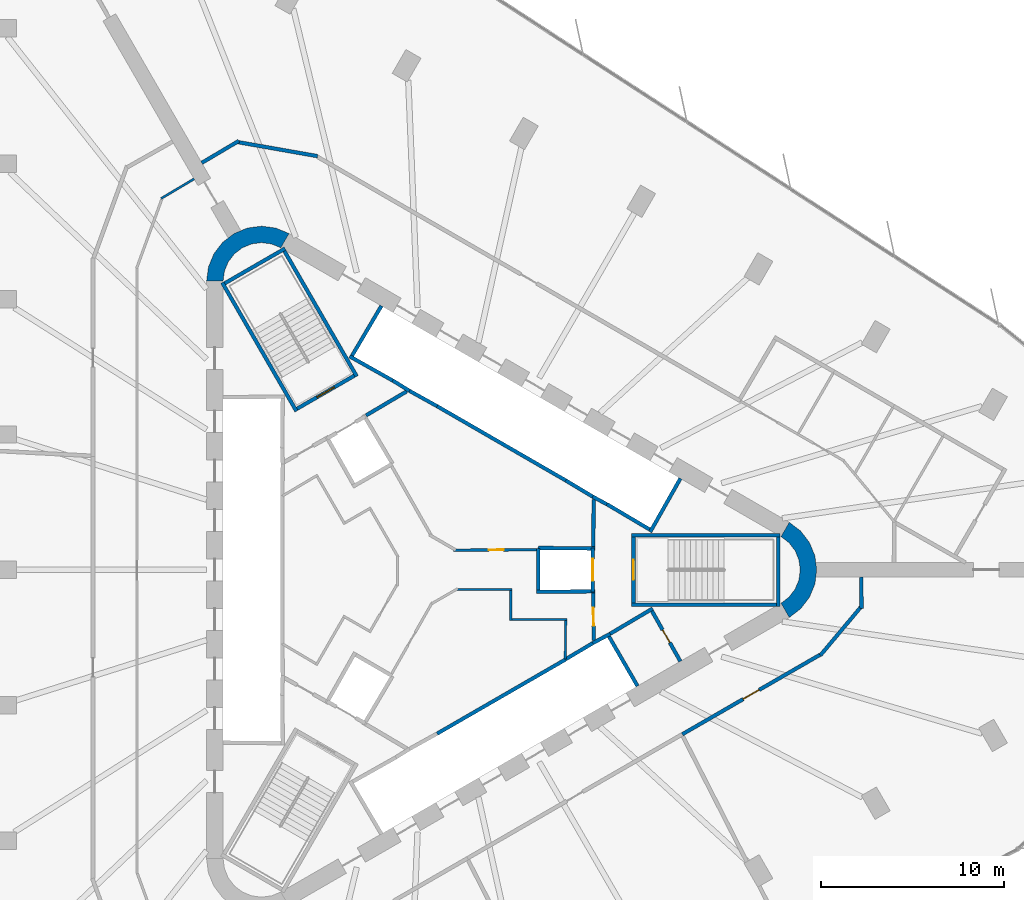
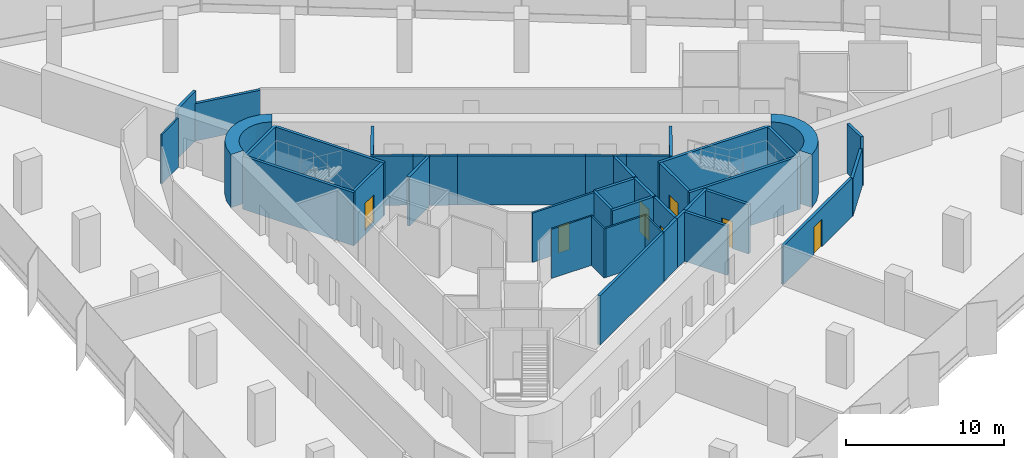
# One storey, part 11 of 14: 43 walls, 7 doors, 7 openings.
"""IFC4 building model written with IfcOpenShell, lengths in metres."""

from ifc_helpers import new_model, si_unit, direction, frame, frame_2d, origin, place, context, subcontext, project, spatial, polyline, rectangle, outline, extrude, material, layer, layer_set, type_object, element, fill, save


model = new_model("IFC4")

# Units and contexts
model_context = context("Model", 3, precision=1e-05, world=origin(), true_north=direction((0.0, 1.0)))
body_context = subcontext(model_context, "Body", "Model", "MODEL_VIEW")
ifc_project = project(units=[si_unit("LENGTHUNIT", "METRE"), si_unit("AREAUNIT", "SQUARE_METRE"), si_unit("VOLUMEUNIT", "CUBIC_METRE"), si_unit("PLANEANGLEUNIT", "RADIAN"), si_unit("MASSUNIT", "GRAM", prefix="KILO")], contexts=[model_context])

# Site, building, storey
site_placement = place(None, origin())
site = spatial("IfcSite", under=ifc_project, at=site_placement, CompositionType="ELEMENT")
building_placement = place(site_placement, origin())
building = spatial("IfcBuilding", under=site, at=building_placement, Name="Tanit Gate Tower", CompositionType="ELEMENT")
storey_placement = place(building_placement, frame((0.0, 0.0, 70.10009765625)))
storey = spatial("IfcBuildingStorey", under=building, at=storey_placement, Name="L13", CompositionType="ELEMENT", Elevation=70.10009765625)

# Walls
ifc_material_1 = material(Name="Concrete C60/75", Category="concrete")
ifc_layer_1 = layer(ifc_material_1, 0.89990234375)
ifc_layer_set_1 = layer_set([ifc_layer_1], Name="CORE WALL 900 C60/75")
wall_type_1 = type_object("IfcWallType", Name="CORE WALL 900 C60/75", PredefinedType="SHEAR", material=ifc_layer_set_1)
wall_1_placement = place(storey_placement, origin())
element("IfcWall", 1, at=wall_1_placement, inside=storey, type_object=wall_type_1, Name="CORE WALL CORNER", PredefinedType="SHEAR", context=body_context, shape_type="SweptSolid", body=[
    extrude(outline(polyline([(-7.60009765625, 18.359619140625), (-8.323486328125, 18.659423828125), (-9.10009765625, 18.76171875), (-9.87646484375, 18.659423828125), (-10.60009765625, 18.359619140625), (-11.22119140625, 17.883056640625), (-11.697998046875, 17.26171875), (-11.997802734375, 16.5380859375), (-12.10009765625, 15.76171875), (-11.199951171875, 15.76171875), (-11.12841796875, 16.30517578125), (-10.918701171875, 16.811767578125), (-10.5849609375, 17.24658203125), (-10.14990234375, 17.580322265625), (-9.6435546875, 17.7900390625), (-9.10009765625, 17.86181640625), (-8.556396484375, 17.7900390625), (-8.050048828125, 17.580322265625), (-7.60009765625, 18.359619140625)])), origin(), (0.0, 0.0, 1.0), 4.099853515625),
])
wall_2_placement = place(storey_placement, origin())
element("IfcWall", 2, at=wall_2_placement, inside=storey, type_object=wall_type_1, Name="CORE WALL CORNER", PredefinedType="SHEAR", context=body_context, shape_type="SweptSolid", body=[
    extrude(outline(polyline([(19.699951171875, -2.59814453125), (20.3212890625, -2.121337890625), (20.798095703125, -1.5), (21.097900390625, -0.776611328125), (21.199951171875, 0.0), (21.097900390625, 0.776611328125), (20.798095703125, 1.5), (20.3212890625, 2.121337890625), (19.699951171875, 2.59814453125), (19.25, 1.818603515625), (19.684814453125, 1.48486328125), (20.018798828125, 1.050048828125), (20.228515625, 0.54345703125), (20.300048828125, 0.0), (20.228515625, -0.54345703125), (20.018798828125, -1.050048828125), (19.684814453125, -1.48486328125), (19.25, -1.818603515625), (19.699951171875, -2.59814453125)])), origin(), (0.0, 0.0, 1.0), 4.099853515625),
])
ifc_material_2 = material(Name="Fire-rated gypsum board partition")
ifc_layer_2 = layer(ifc_material_2, 0.199951171875)
ifc_layer_set_2 = layer_set([ifc_layer_2], Name="INT-WALL-COMPARTMENT")
wall_type_2 = type_object("IfcWallType", Name="INT-WALL-COMPARTMENT", PredefinedType="PARTITIONING", material=ifc_layer_set_2)
wall_3_placement = place(storey_placement, frame((12.244873046875, -2.10888671875, 0.0), z_axis=(0.0, 0.0, 1.0), x_axis=(-0.860414880418, -0.509594185166, 0.0)))
element("IfcWall", 3, at=wall_3_placement, inside=storey, type_object=wall_type_2, Name="Wall Compartment W057", PredefinedType="PARTITIONING", context=body_context, shape_type="SweptSolid", body=[
    extrude(rectangle(XDim=2.7001953125, YDim=0.199951171875, at=frame_2d((1.35009765625, 0.0))), origin(), (0.0, 0.0, 1.0), 3.7998046875),
])

# Wall, opening, door
wall_4_placement = place(storey_placement, frame((13.758056640625, -4.989501953125, 0.0), z_axis=(0.0, 0.0, 1.0), x_axis=(-0.491993409184, 0.87059892334, 0.0)))
wall_4 = element("IfcWall", 4, at=wall_4_placement, inside=storey, type_object=wall_type_2, Name="Wall Compartment W058", PredefinedType="PARTITIONING", context=body_context, shape_type="SweptSolid", body=[
    extrude(rectangle(XDim=3.150146484375, YDim=0.199951171875, at=frame_2d((1.5751953125, 0.0))), origin(), (0.0, 0.0, 1.0), 3.7998046875),
])
opening_1_placement = place(wall_4_placement, frame((1.175048828125, 0.0, 0.0)))
opening_1 = element("IfcOpeningElement", 5, at=opening_1_placement, cuts=wall_4, Name="Opening R08-S02-13", PredefinedType="OPENING", context=body_context, shape_type="SweptSolid", body=[
    extrude(rectangle(XDim=0.800048828125, YDim=2.10009765625, at=frame_2d((0.39990234375, 1.050048828125))), frame((0.0, 0.10986328125, 0.0), z_axis=(0.0, -1.0, 0.0), x_axis=(1.0, 0.0, 0.0)), (0.0, 0.0, 1.0), 0.219970703125),
])
ifc_material_3 = material(Name="Timber door leaf", Category="wood")
door_type_1 = type_object("IfcDoorType", Name="INT-DOOR-RISER-800", OperationType="NOTDEFINED", PredefinedType="USERDEFINED", material=ifc_material_3)
door_1_placement = place(opening_1_placement, origin())
door_1 = element("IfcDoor", 6, at=door_1_placement, inside=storey, type_object=door_type_1, Name="Door R08-S02-13", ObjectType="FIRE DOOR", OperationType="SINGLE_SWING_RIGHT", OverallHeight=2.10009765625, OverallWidth=0.800048828125, PredefinedType="USERDEFINED", context=body_context, shape_type="SweptSolid", body=[
    extrude(rectangle(XDim=0.800048828125, YDim=2.10009765625, at=frame_2d((0.39990234375, 1.050048828125))), frame((0.0, 0.02490234375, 0.0), z_axis=(0.0, -1.0, 0.0), x_axis=(1.0, 0.0, 0.0)), (0.0, 0.0, 1.0), 0.050048828125),
])
fill(opening_1, door_1)

# Wall
wall_5_placement = place(storey_placement, frame((9.0009765625, 1.27001953125, 0.0), z_axis=(0.0, 0.0, 1.0), x_axis=(0.010784614026, 0.999941844359, 0.0)))
element("IfcWall", 7, at=wall_5_placement, inside=storey, type_object=wall_type_2, Name="Wall Compartment W059", PredefinedType="PARTITIONING", context=body_context, shape_type="SweptSolid", body=[
    extrude(rectangle(XDim=2.580810546875, YDim=0.199951171875, at=frame_2d((1.29052734375, 0.0))), origin(), (0.0, 0.0, 1.0), 3.7998046875),
])

# Wall, opening, door
wall_6_placement = place(storey_placement, frame((9.02880859375, -3.850830078125, 0.0), z_axis=(0.0, 0.0, 1.0), x_axis=(-0.010783593937, 0.99994185536, 0.0)))
wall_6 = element("IfcWall", 8, at=wall_6_placement, inside=storey, type_object=wall_type_2, Name="Wall Compartment W060", PredefinedType="PARTITIONING", context=body_context, shape_type="SweptSolid", body=[
    extrude(rectangle(XDim=2.5810546875, YDim=0.199951171875, at=frame_2d((1.29052734375, 0.0))), origin(), (0.0, 0.0, 1.0), 3.7998046875),
])
opening_2_placement = place(wall_6_placement, frame((0.79052734375, 0.0, 0.0)))
opening_2 = element("IfcOpeningElement", 9, at=opening_2_placement, cuts=wall_6, Name="Opening F10-S02-02", PredefinedType="OPENING", context=body_context, shape_type="SweptSolid", body=[
    extrude(rectangle(XDim=1.0, YDim=2.10009765625, at=frame_2d((0.5, 1.050048828125))), frame((0.0, 0.10986328125, 0.0), z_axis=(0.0, -1.0, 0.0), x_axis=(1.0, 0.0, 0.0)), (0.0, 0.0, 1.0), 0.219970703125),
])
ifc_material_4 = material(Name="Fire-rated steel door leaf", Category="steel")
door_type_2 = type_object("IfcDoorType", Name="INT-DOOR-FIRE-1000", OperationType="NOTDEFINED", PredefinedType="USERDEFINED", material=ifc_material_4)
door_2_placement = place(opening_2_placement, origin())
door_2 = element("IfcDoor", 10, at=door_2_placement, inside=storey, type_object=door_type_2, Name="Door F10-S02-02", ObjectType="FIRE DOOR", OperationType="SINGLE_SWING_RIGHT", OverallHeight=2.10009765625, OverallWidth=1.0, PredefinedType="USERDEFINED", context=body_context, shape_type="SweptSolid", body=[
    extrude(rectangle(XDim=1.0, YDim=2.10009765625, at=frame_2d((0.5, 1.050048828125))), frame((0.0, 0.02490234375, 0.0), z_axis=(0.0, -1.0, 0.0), x_axis=(1.0, 0.0, 0.0)), (0.0, 0.0, 1.0), 0.050048828125),
])
fill(opening_2, door_2)

# Walls
wall_7_placement = place(storey_placement, frame((-1.1796875, 9.744384765625, 0.0), z_axis=(0.0, 0.0, 1.0), x_axis=(-0.860615607571, -0.509255118781, 0.0)))
element("IfcWall", 11, at=wall_7_placement, inside=storey, type_object=wall_type_2, Name="Wall Compartment W061", PredefinedType="PARTITIONING", context=body_context, shape_type="SweptSolid", body=[
    extrude(rectangle(XDim=2.58056640625, YDim=0.199951171875, at=frame_2d((1.290283203125, 0.0))), origin(), (0.0, 0.0, 1.0), 3.7998046875),
])
wall_8_placement = place(storey_placement, frame((-10.3388671875, 23.4150390625, 0.0), z_axis=(0.0, 0.0, 1.0), x_axis=(-0.860316803263, -0.509759745393, 0.0)))
element("IfcWall", 12, at=wall_8_placement, inside=storey, type_object=wall_type_2, Name="Wall Compartment W094", PredefinedType="PARTITIONING", context=body_context, shape_type="SweptSolid", body=[
    extrude(rectangle(XDim=2.35400390625, YDim=0.199951171875, at=frame_2d((1.177001953125, 0.0))), origin(), (0.0, 0.0, 1.0), 3.7998046875),
])
wall_9_placement = place(storey_placement, frame((-6.042236328125, 22.58056640625, 0.0), z_axis=(0.0, 0.0, 1.0), x_axis=(-0.984805258509, 0.173662324106, 0.0)))
element("IfcWall", 13, at=wall_9_placement, inside=storey, type_object=wall_type_2, Name="Wall Compartment W095", PredefinedType="PARTITIONING", context=body_context, shape_type="SweptSolid", body=[
    extrude(rectangle(XDim=4.415771484375, YDim=0.199951171875, at=frame_2d((2.2080078125, 0.0))), origin(), (0.0, 0.0, 1.0), 2.8798828125),
])
wall_10_placement = place(storey_placement, frame((23.64794921875, -2.097900390625, 0.0), z_axis=(0.0, 0.0, 1.0), x_axis=(-0.015095332307, 0.99988605898, 0.0)))
element("IfcWall", 14, at=wall_10_placement, inside=storey, type_object=wall_type_2, Name="Wall Compartment W102", PredefinedType="PARTITIONING", context=body_context, shape_type="SweptSolid", body=[
    extrude(rectangle(XDim=1.6982421875, YDim=0.199951171875, at=frame_2d((0.84912109375, 0.0))), origin(), (0.0, 0.0, 1.0), 3.7998046875),
])
wall_11_placement = place(storey_placement, frame((21.4013671875, -4.657470703125, 0.0), z_axis=(0.0, 0.0, 1.0), x_axis=(0.642796210095, 0.766037226437, 0.0)))
element("IfcWall", 15, at=wall_11_placement, inside=storey, type_object=wall_type_2, Name="Wall Compartment W103", PredefinedType="PARTITIONING", context=body_context, shape_type="SweptSolid", body=[
    extrude(rectangle(XDim=3.44287109375, YDim=0.199951171875, at=frame_2d((1.721435546875, 0.0))), origin(), (0.0, 0.0, 1.0), 2.8798828125),
])

# Wall, opening, door
wall_12_placement = place(storey_placement, frame((13.862060546875, -8.970703125, 0.0), z_axis=(0.0, 0.0, 1.0), x_axis=(0.866032891431, 0.499987030792, 0.0)))
wall_12 = element("IfcWall", 16, at=wall_12_placement, inside=storey, type_object=wall_type_2, Name="Wall Compartment W104", PredefinedType="PARTITIONING", context=body_context, shape_type="SweptSolid", body=[
    extrude(rectangle(XDim=8.679931640625, YDim=0.199951171875, at=frame_2d((4.33984375, 0.0))), origin(), (0.0, 0.0, 1.0), 2.97998046875),
])
opening_3_placement = place(wall_12_placement, frame((3.83984375, 0.0, 0.0)))
opening_3 = element("IfcOpeningElement", 17, at=opening_3_placement, cuts=wall_12, Name="Opening F10-S02-22", PredefinedType="OPENING", context=body_context, shape_type="SweptSolid", body=[
    extrude(rectangle(XDim=1.0, YDim=2.10009765625, at=frame_2d((0.5, 1.050048828125))), frame((0.0, 0.10986328125, 0.0), z_axis=(0.0, -1.0, 0.0), x_axis=(1.0, 0.0, 0.0)), (0.0, 0.0, 1.0), 0.219970703125),
])
door_3_placement = place(opening_3_placement, origin())
door_3 = element("IfcDoor", 18, at=door_3_placement, inside=storey, type_object=door_type_2, Name="Door F10-S02-22", ObjectType="FIRE DOOR", OperationType="SINGLE_SWING_RIGHT", OverallHeight=2.10009765625, OverallWidth=1.0, PredefinedType="USERDEFINED", context=body_context, shape_type="SweptSolid", body=[
    extrude(rectangle(XDim=1.0, YDim=2.10009765625, at=frame_2d((0.5, 1.050048828125))), frame((0.0, 0.02490234375, 0.0), z_axis=(0.0, -1.0, 0.0), x_axis=(1.0, 0.0, 0.0)), (0.0, 0.0, 1.0), 0.050048828125),
])
fill(opening_3, door_3)

# Walls
ifc_material_5 = material(Name="Gypsum board partition")
ifc_layer_3 = layer(ifc_material_5, 0.1201171875)
ifc_layer_set_3 = layer_set([ifc_layer_3], Name="INT-WALL-PARTITION")
wall_type_3 = type_object("IfcWallType", Name="INT-WALL-PARTITION", PredefinedType="PARTITIONING", material=ifc_layer_set_3)
wall_13_placement = place(storey_placement, frame((4.56005859375, -1.074951171875, 0.0), z_axis=(0.0, 0.0, 1.0), x_axis=(-1.0, 0.0, 0.0)))
element("IfcWall", 19, at=wall_13_placement, inside=storey, type_object=wall_type_3, Name="Wall Partition W070", PredefinedType="PARTITIONING", context=body_context, shape_type="SweptSolid", body=[
    extrude(rectangle(XDim=3.02587890625, YDim=0.1201171875, at=frame_2d((1.512939453125, 0.0))), origin(), (0.0, 0.0, 1.0), 3.7998046875),
])
wall_14_placement = place(storey_placement, frame((4.5, -2.760009765625, 0.0), z_axis=(0.0, 0.0, 1.0), x_axis=(0.0, 1.0, 0.0)))
element("IfcWall", 20, at=wall_14_placement, inside=storey, type_object=wall_type_3, Name="Wall Partition W071", PredefinedType="PARTITIONING", context=body_context, shape_type="SweptSolid", body=[
    extrude(rectangle(XDim=1.625, YDim=0.1201171875, at=frame_2d((0.8125, 0.0))), origin(), (0.0, 0.0, 1.0), 3.7998046875),
])
wall_15_placement = place(storey_placement, frame((7.56005859375, -2.699951171875, 0.0), z_axis=(0.0, 0.0, 1.0), x_axis=(-1.0, 0.0, 0.0)))
element("IfcWall", 21, at=wall_15_placement, inside=storey, type_object=wall_type_3, Name="Wall Partition W072", PredefinedType="PARTITIONING", context=body_context, shape_type="SweptSolid", body=[
    extrude(rectangle(XDim=3.0, YDim=0.1201171875, at=frame_2d((1.5, 0.0))), origin(), (0.0, 0.0, 1.0), 3.7998046875),
])
wall_16_placement = place(storey_placement, frame((7.474609375, -4.864501953125, 0.0), z_axis=(0.0, 0.0, 1.0), x_axis=(0.011716133148, 0.999931363757, 0.0)))
element("IfcWall", 22, at=wall_16_placement, inside=storey, type_object=wall_type_3, Name="Wall Partition W073", PredefinedType="PARTITIONING", context=body_context, shape_type="SweptSolid", body=[
    extrude(rectangle(XDim=2.104736328125, YDim=0.1201171875, at=frame_2d((1.05224609375, 0.0))), origin(), (0.0, 0.0, 1.0), 3.7998046875),
])
wall_17_placement = place(storey_placement, frame((-12.781982421875, 21.339111328125, 0.0), z_axis=(0.0, 0.0, 1.0), x_axis=(-0.859769901207, -0.510681619973, 0.0)))
element("IfcWall", 23, at=wall_17_placement, inside=storey, type_object=wall_type_3, Name="Wall Partition W083", PredefinedType="PARTITIONING", context=body_context, shape_type="SweptSolid", body=[
    extrude(rectangle(XDim=2.092529296875, YDim=0.1201171875, at=frame_2d((1.04638671875, 0.0))), origin(), (0.0, 0.0, 1.0), 3.7998046875),
])

# Wall, opening, door
ifc_material_6 = material(Name="Fire-rated gypsum board partition")
ifc_layer_4 = layer(ifc_material_6, 0.14990234375)
ifc_layer_set_4 = layer_set([ifc_layer_4], Name="INT-WALL-RISER")
wall_type_4 = type_object("IfcWallType", Name="INT-WALL-RISER", PredefinedType="PLUMBINGWALL", material=ifc_layer_set_4)
wall_18_placement = place(storey_placement, frame((1.3876953125, 1.07421875, 0.0), z_axis=(0.0, 0.0, 1.0), x_axis=(0.99997856967, 0.006546770205, 0.0)))
wall_18 = element("IfcWall", 24, at=wall_18_placement, inside=storey, type_object=wall_type_4, Name="Wall Riser W065", PredefinedType="PLUMBINGWALL", context=body_context, shape_type="SweptSolid", body=[
    extrude(rectangle(XDim=4.51220703125, YDim=0.14990234375, at=frame_2d((2.256103515625, 0.0))), origin(), (0.0, 0.0, 1.0), 3.7998046875),
])
opening_4_placement = place(wall_18_placement, frame((1.920166015625, 0.0, 0.0)))
opening_4 = element("IfcOpeningElement", 25, at=opening_4_placement, cuts=wall_18, Name="Opening R08-S02-10", PredefinedType="OPENING", context=body_context, shape_type="SweptSolid", body=[
    extrude(rectangle(XDim=0.800048828125, YDim=2.10009765625, at=frame_2d((0.39990234375, 1.050048828125))), frame((0.0, 0.0849609375, 0.0), z_axis=(0.0, -1.0, 0.0), x_axis=(1.0, 0.0, 0.0)), (0.0, 0.0, 1.0), 0.169921875),
])
door_4_placement = place(opening_4_placement, origin())
door_4 = element("IfcDoor", 26, at=door_4_placement, inside=storey, type_object=door_type_1, Name="Door R08-S02-10", ObjectType="FIRE DOOR", OperationType="SINGLE_SWING_LEFT", OverallHeight=2.10009765625, OverallWidth=0.800048828125, PredefinedType="USERDEFINED", context=body_context, shape_type="SweptSolid", body=[
    extrude(rectangle(XDim=0.800048828125, YDim=2.10009765625, at=frame_2d((0.39990234375, 1.050048828125))), frame((0.0, 0.02490234375, 0.0), z_axis=(0.0, -1.0, 0.0), x_axis=(1.0, 0.0, 0.0)), (0.0, 0.0, 1.0), 0.050048828125),
])
fill(opening_4, door_4)

# Walls
ifc_material_7 = material(Name="Gypsum shaft wall system")
ifc_layer_5 = layer(ifc_material_7, 0.199951171875)
ifc_layer_set_5 = layer_set([ifc_layer_5], Name="INT-WALL-SHAFT")
wall_type_5 = type_object("IfcWallType", Name="INT-WALL-SHAFT", PredefinedType="PLUMBINGWALL", material=ifc_layer_set_5)
wall_19_placement = place(storey_placement, frame((7.497314453125, 4.885986328125, 0.0), z_axis=(0.0, 0.0, 1.0), x_axis=(-0.866030989016, 0.499990325971, 0.0)))
element("IfcWall", 27, at=wall_19_placement, inside=storey, type_object=wall_type_5, Name="Wall Shaft W003", PredefinedType="PLUMBINGWALL", context=body_context, shape_type="SweptSolid", body=[
    extrude(rectangle(XDim=8.099853515625, YDim=0.199951171875, at=frame_2d((4.0498046875, 0.0))), origin(), (0.0, 0.0, 1.0), 3.7998046875),
])
wall_20_placement = place(storey_placement, frame((12.10986328125, 2.07275390625, 0.0), z_axis=(0.0, 0.0, 1.0), x_axis=(0.49196600604, 0.870614408852, 0.0)))
element("IfcWall", 28, at=wall_20_placement, inside=storey, type_object=wall_type_5, Name="Wall Shaft W013", PredefinedType="PLUMBINGWALL", context=body_context, shape_type="SweptSolid", body=[
    extrude(rectangle(XDim=3.35009765625, YDim=0.199951171875, at=frame_2d((1.675048828125, 0.0))), origin(), (0.0, 0.0, 1.0), 3.7998046875),
])
wall_21_placement = place(storey_placement, frame((12.072998046875, 2.2109375, 0.0), z_axis=(0.0, 0.0, 1.0), x_axis=(-0.860438357912, 0.509554542943, 0.0)))
element("IfcWall", 29, at=wall_21_placement, inside=storey, type_object=wall_type_5, Name="Wall Shaft W014", PredefinedType="PLUMBINGWALL", context=body_context, shape_type="SweptSolid", body=[
    extrude(rectangle(XDim=2.700439453125, YDim=0.199951171875, at=frame_2d((1.35009765625, 0.0))), origin(), (0.0, 0.0, 1.0), 3.7998046875),
])
wall_22_placement = place(storey_placement, frame((9.74755859375, 3.583251953125, 0.0), z_axis=(0.0, 0.0, 1.0), x_axis=(-0.880917147855, 0.473270513147, 0.0)))
element("IfcWall", 30, at=wall_22_placement, inside=storey, type_object=wall_type_5, Name="Wall Shaft W015", PredefinedType="PLUMBINGWALL", context=body_context, shape_type="SweptSolid", body=[
    extrude(rectangle(XDim=0.8779296875, YDim=0.199951171875, at=frame_2d((0.43896484375, 0.0))), origin(), (0.0, 0.0, 1.0), 3.7998046875),
])
wall_23_placement = place(storey_placement, frame((9.0791015625, 3.93701171875, 0.0), z_axis=(0.0, 0.0, 1.0), x_axis=(-0.857516281273, 0.51445682749, 0.0)))
element("IfcWall", 31, at=wall_23_placement, inside=storey, type_object=wall_type_5, Name="Wall Shaft W016", PredefinedType="PLUMBINGWALL", context=body_context, shape_type="SweptSolid", body=[
    extrude(rectangle(XDim=1.8447265625, YDim=0.199951171875, at=frame_2d((0.92236328125, 0.0))), origin(), (0.0, 0.0, 1.0), 3.7998046875),
])
wall_24_placement = place(storey_placement, frame((-1.940673828125, 10.338623046875, 0.0), z_axis=(0.0, 0.0, 1.0), x_axis=(0.850216889117, -0.526432561171, 0.0)))
element("IfcWall", 32, at=wall_24_placement, inside=storey, type_object=wall_type_5, Name="Wall Shaft W019", PredefinedType="PLUMBINGWALL", context=body_context, shape_type="SweptSolid", body=[
    extrude(rectangle(XDim=1.078369140625, YDim=0.199951171875, at=frame_2d((0.5390625, 0.0))), origin(), (0.0, 0.0, 1.0), 3.7998046875),
])
wall_25_placement = place(storey_placement, frame((0.482666015625, 8.935791015625, 0.0), z_axis=(0.0, 0.0, 1.0), x_axis=(-0.874269620932, 0.485440655401, 0.0)))
element("IfcWall", 33, at=wall_25_placement, inside=storey, type_object=wall_type_5, Name="Wall Shaft W020", PredefinedType="PLUMBINGWALL", context=body_context, shape_type="SweptSolid", body=[
    extrude(rectangle(XDim=1.8447265625, YDim=0.199951171875, at=frame_2d((0.92236328125, 0.0))), origin(), (0.0, 0.0, 1.0), 3.7998046875),
])
wall_26_placement = place(storey_placement, frame((-4.296142578125, 11.658935546875, 0.0), z_axis=(0.0, 0.0, 1.0), x_axis=(0.871534483978, -0.490334215854, 0.0)))
element("IfcWall", 34, at=wall_26_placement, inside=storey, type_object=wall_type_5, Name="Wall Shaft W021", PredefinedType="PLUMBINGWALL", context=body_context, shape_type="SweptSolid", body=[
    extrude(rectangle(XDim=2.7001953125, YDim=0.199951171875, at=frame_2d((1.35009765625, 0.0))), origin(), (0.0, 0.0, 1.0), 3.7998046875),
])
wall_27_placement = place(storey_placement, frame((-4.158203125, 11.696044921875, 0.0), z_axis=(0.0, 0.0, 1.0), x_axis=(0.508018930956, 0.861345903683, 0.0)))
element("IfcWall", 35, at=wall_27_placement, inside=storey, type_object=wall_type_5, Name="Wall Shaft W022", PredefinedType="PLUMBINGWALL", context=body_context, shape_type="SweptSolid", body=[
    extrude(rectangle(XDim=3.150146484375, YDim=0.199951171875, at=frame_2d((1.5751953125, 0.0))), origin(), (0.0, 0.0, 1.0), 3.7998046875),
])
wall_28_placement = place(storey_placement, frame((0.482666015625, -8.935791015625, 0.0), z_axis=(0.0, 0.0, 1.0), x_axis=(0.866030989016, 0.499990325971, 0.0)))
element("IfcWall", 36, at=wall_28_placement, inside=storey, type_object=wall_type_5, Name="Wall Shaft W031", PredefinedType="PLUMBINGWALL", context=body_context, shape_type="SweptSolid", body=[
    extrude(rectangle(XDim=8.099853515625, YDim=0.199951171875, at=frame_2d((4.0498046875, 0.0))), origin(), (0.0, 0.0, 1.0), 3.7998046875),
])
wall_29_placement = place(storey_placement, frame((9.794677734375, -3.52490234375, 0.0), z_axis=(0.0, 0.0, 1.0), x_axis=(0.499984717929, -0.866034226713, 0.0)))
element("IfcWall", 37, at=wall_29_placement, inside=storey, type_object=wall_type_5, Name="Wall Shaft W024", PredefinedType="PLUMBINGWALL", context=body_context, shape_type="SweptSolid", body=[
    extrude(rectangle(XDim=3.25, YDim=0.199951171875, at=frame_2d((1.625, 0.0))), origin(), (0.0, 0.0, 1.0), 3.7998046875),
])
wall_30_placement = place(storey_placement, frame((8.97412109375, -3.998779296875, 0.0), z_axis=(0.0, 0.0, 1.0), x_axis=(0.880907015104, 0.473289373154, 0.0)))
element("IfcWall", 38, at=wall_30_placement, inside=storey, type_object=wall_type_5, Name="Wall Shaft W025", PredefinedType="PLUMBINGWALL", context=body_context, shape_type="SweptSolid", body=[
    extrude(rectangle(XDim=1.078125, YDim=0.199951171875, at=frame_2d((0.5390625, 0.0))), origin(), (0.0, 0.0, 1.0), 3.7998046875),
])
wall_31_placement = place(storey_placement, frame((7.4931640625, -4.87841796875, 0.0), z_axis=(0.0, 0.0, 1.0), x_axis=(0.859981807212, 0.510324691999, 0.0)))
element("IfcWall", 39, at=wall_31_placement, inside=storey, type_object=wall_type_5, Name="Wall Shaft W026", PredefinedType="PLUMBINGWALL", context=body_context, shape_type="SweptSolid", body=[
    extrude(rectangle(XDim=1.8447265625, YDim=0.199951171875, at=frame_2d((0.92236328125, 0.0))), origin(), (0.0, 0.0, 1.0), 3.7998046875),
])

# Wall, opening, door
wall_32_placement = place(storey_placement, frame((8.969970703125, 1.199951171875, 0.0), z_axis=(0.0, 0.0, 1.0), x_axis=(0.0, -1.0, 0.0)))
wall_32 = element("IfcWall", 40, at=wall_32_placement, inside=storey, type_object=wall_type_5, Name="Wall Shaft W037", PredefinedType="PLUMBINGWALL", context=body_context, shape_type="SweptSolid", body=[
    extrude(rectangle(XDim=2.39990234375, YDim=0.199951171875, at=frame_2d((1.199951171875, 0.0))), origin(), (0.0, 0.0, 1.0), 3.7998046875),
])
opening_5_placement = place(wall_32_placement, frame((0.60009765625, 0.0, 0.0)))
opening_5 = element("IfcOpeningElement", 41, at=opening_5_placement, cuts=wall_32, Name="Opening LDFL1-L13", PredefinedType="OPENING", context=body_context, shape_type="SweptSolid", body=[
    extrude(rectangle(XDim=1.199951171875, YDim=2.39990234375, at=frame_2d((0.60009765625, 1.199951171875))), frame((0.0, 0.10986328125, 0.0), z_axis=(0.0, -1.0, 0.0), x_axis=(1.0, 0.0, 0.0)), (0.0, 0.0, 1.0), 0.219970703125),
])
ifc_material_8 = material(Name="Stainless steel sliding door leaf", Category="steel")
door_type_3 = type_object("IfcDoorType", Name="INT-DOOR-LANDING-1200", OperationType="NOTDEFINED", PredefinedType="USERDEFINED", material=ifc_material_8)
door_5_placement = place(opening_5_placement, origin())
door_5 = element("IfcDoor", 42, at=door_5_placement, inside=storey, type_object=door_type_3, Name="Door LDFL1-L13", ObjectType="LANDING DOOR", OperationType="SLIDING_TO_LEFT", OverallHeight=2.39990234375, OverallWidth=1.199951171875, PredefinedType="USERDEFINED", context=body_context, shape_type="SweptSolid", body=[
    extrude(rectangle(XDim=1.199951171875, YDim=2.39990234375, at=frame_2d((0.60009765625, 1.199951171875))), frame((0.0, 0.02490234375, 0.0), z_axis=(0.0, -1.0, 0.0), x_axis=(1.0, 0.0, 0.0)), (0.0, 0.0, 1.0), 0.050048828125),
])
fill(opening_5, door_5)

# Walls
wall_33_placement = place(storey_placement, frame((6.0, 1.199951171875, 0.0), z_axis=(0.0, 0.0, 1.0), x_axis=(0.999949988, -0.010001074852, 0.0)))
element("IfcWall", 43, at=wall_33_placement, inside=storey, type_object=wall_type_5, Name="Wall Shaft W038", PredefinedType="PLUMBINGWALL", context=body_context, shape_type="SweptSolid", body=[
    extrude(rectangle(XDim=3.100341796875, YDim=0.199951171875, at=frame_2d((1.55029296875, 0.0))), origin(), (0.0, 0.0, 1.0), 3.7998046875),
])
wall_34_placement = place(storey_placement, frame((5.89990234375, -1.200927734375, 0.0), z_axis=(0.0, 0.0, 1.0), x_axis=(0.999950064753, 0.009993397809, 0.0)))
element("IfcWall", 44, at=wall_34_placement, inside=storey, type_object=wall_type_5, Name="Wall Shaft W039", PredefinedType="PLUMBINGWALL", context=body_context, shape_type="SweptSolid", body=[
    extrude(rectangle(XDim=3.200439453125, YDim=0.199951171875, at=frame_2d((1.60009765625, 0.0))), origin(), (0.0, 0.0, 1.0), 3.7998046875),
])
wall_35_placement = place(storey_placement, frame((6.0, -1.10009765625, 0.0), z_axis=(0.0, 0.0, 1.0), x_axis=(0.0, 1.0, 0.0)))
element("IfcWall", 45, at=wall_35_placement, inside=storey, type_object=wall_type_5, Name="Wall Shaft W040", PredefinedType="PLUMBINGWALL", context=body_context, shape_type="SweptSolid", body=[
    extrude(rectangle(XDim=2.279541015625, YDim=0.199951171875, at=frame_2d((1.1396484375, 0.0))), origin(), (0.0, 0.0, 1.0), 3.7998046875),
])
ifc_material_9 = material(Name="Concrete C40/50", Category="concrete")
ifc_layer_6 = layer(ifc_material_9, 0.199951171875)
ifc_layer_set_6 = layer_set([ifc_layer_6], Name="INT-WALL-STAIR")
wall_type_6 = type_object("IfcWallType", Name="INT-WALL-STAIR", PredefinedType="SHEAR", material=ifc_layer_set_6)
wall_36_placement = place(storey_placement, frame((19.199951171875, 1.89990234375, -0.300048828125), z_axis=(0.0, 0.0, 1.0), x_axis=(-1.0, 0.0, 0.0)))
element("IfcWall", 46, at=wall_36_placement, inside=storey, type_object=wall_type_6, Name="Wall Stair W033", PredefinedType="SHEAR", context=body_context, shape_type="SweptSolid", body=[
    extrude(rectangle(XDim=8.099853515625, YDim=0.199951171875, at=frame_2d((4.0498046875, 0.0))), origin(), (0.0, 0.0, 1.0), 4.099853515625),
])
wall_37_placement = place(storey_placement, frame((19.10009765625, -2.0, -0.300048828125), z_axis=(0.0, 0.0, 1.0), x_axis=(0.0, 1.0, 0.0)))
element("IfcWall", 47, at=wall_37_placement, inside=storey, type_object=wall_type_6, Name="Wall Stair W034", PredefinedType="SHEAR", context=body_context, shape_type="SweptSolid", body=[
    extrude(rectangle(XDim=3.800048828125, YDim=0.199951171875, at=frame_2d((1.89990234375, 0.0))), origin(), (0.0, 0.0, 1.0), 4.099853515625),
])
wall_38_placement = place(storey_placement, frame((11.10009765625, -1.89990234375, -0.300048828125), z_axis=(0.0, 0.0, 1.0), x_axis=(1.0, 0.0, 0.0)))
element("IfcWall", 48, at=wall_38_placement, inside=storey, type_object=wall_type_6, Name="Wall Stair W035", PredefinedType="SHEAR", context=body_context, shape_type="SweptSolid", body=[
    extrude(rectangle(XDim=7.89990234375, YDim=0.199951171875, at=frame_2d((3.949951171875, 0.0))), origin(), (0.0, 0.0, 1.0), 4.099853515625),
])

# Wall, opening, door
wall_39_placement = place(storey_placement, frame((11.199951171875, -1.800048828125, -0.300048828125), z_axis=(0.0, 0.0, 1.0), x_axis=(0.0, 1.0, 0.0)))
wall_39 = element("IfcWall", 49, at=wall_39_placement, inside=storey, type_object=wall_type_6, Name="Wall Stair W036", PredefinedType="SHEAR", context=body_context, shape_type="SweptSolid", body=[
    extrude(rectangle(XDim=3.60009765625, YDim=0.199951171875, at=frame_2d((1.800048828125, 0.0))), origin(), (0.0, 0.0, 1.0), 4.099853515625),
])
opening_6_placement = place(wall_39_placement, frame((1.25, 0.0, 0.300048828125)))
opening_6 = element("IfcOpeningElement", 50, at=opening_6_placement, cuts=wall_39, Name="Opening S11-S02-01", PredefinedType="OPENING", context=body_context, shape_type="SweptSolid", body=[
    extrude(rectangle(XDim=1.10009765625, YDim=2.10009765625, at=frame_2d((0.550048828125, 1.050048828125))), frame((0.0, 0.10986328125, 0.0), z_axis=(0.0, -1.0, 0.0), x_axis=(1.0, 0.0, 0.0)), (0.0, 0.0, 1.0), 0.219970703125),
])
ifc_material_10 = material(Name="Timber door leaf", Category="wood")
door_type_4 = type_object("IfcDoorType", Name="INT-DOOR-STAIR-1100", OperationType="NOTDEFINED", PredefinedType="USERDEFINED", material=ifc_material_10)
door_6_placement = place(opening_6_placement, origin())
door_6 = element("IfcDoor", 51, at=door_6_placement, inside=storey, type_object=door_type_4, Name="Door S11-S02-01", ObjectType="FIRE DOOR", OperationType="SINGLE_SWING_LEFT", OverallHeight=2.10009765625, OverallWidth=1.10009765625, PredefinedType="USERDEFINED", context=body_context, shape_type="SweptSolid", body=[
    extrude(rectangle(XDim=1.10009765625, YDim=2.10009765625, at=frame_2d((0.550048828125, 1.050048828125))), frame((0.0, 0.02490234375, 0.0), z_axis=(0.0, -1.0, 0.0), x_axis=(1.0, 0.0, 0.0)), (0.0, 0.0, 1.0), 0.050048828125),
])
fill(opening_6, door_6)

# Walls
wall_40_placement = place(storey_placement, frame((-11.245361328125, 15.677734375, -0.300048828125), z_axis=(0.0, 0.0, 1.0), x_axis=(0.499977274689, -0.866038523851, 0.0)))
element("IfcWall", 52, at=wall_40_placement, inside=storey, type_object=wall_type_6, Name="Wall Stair W041", PredefinedType="SHEAR", context=body_context, shape_type="SweptSolid", body=[
    extrude(rectangle(XDim=8.10009765625, YDim=0.199951171875, at=frame_2d((4.050048828125, 0.0))), origin(), (0.0, 0.0, 1.0), 4.099853515625),
])
wall_41_placement = place(storey_placement, frame((-7.81787109375, 17.541015625, -0.300048828125), z_axis=(0.0, 0.0, 1.0), x_axis=(-0.866044365799, -0.499967155389, 0.0)))
element("IfcWall", 53, at=wall_41_placement, inside=storey, type_object=wall_type_6, Name="Wall Stair W042", PredefinedType="SHEAR", context=body_context, shape_type="SweptSolid", body=[
    extrude(rectangle(XDim=3.800048828125, YDim=0.199951171875, at=frame_2d((1.89990234375, 0.0))), origin(), (0.0, 0.0, 1.0), 4.099853515625),
])
wall_42_placement = place(storey_placement, frame((-7.8544921875, 17.404541015625, -0.300048828125), z_axis=(0.0, 0.0, 1.0), x_axis=(0.499997992926, -0.866026562566, 0.0)))
element("IfcWall", 54, at=wall_42_placement, inside=storey, type_object=wall_type_6, Name="Wall Stair W043", PredefinedType="SHEAR", context=body_context, shape_type="SweptSolid", body=[
    extrude(rectangle(XDim=7.89990234375, YDim=0.199951171875, at=frame_2d((3.949951171875, 0.0))), origin(), (0.0, 0.0, 1.0), 4.099853515625),
])

# Wall, opening, door
wall_43_placement = place(storey_placement, frame((-7.158935546875, 8.799560546875, -0.300048828125), z_axis=(0.0, 0.0, 1.0), x_axis=(0.866047807691, 0.499961193289, 0.0)))
wall_43 = element("IfcWall", 55, at=wall_43_placement, inside=storey, type_object=wall_type_6, Name="Wall Stair W044", PredefinedType="SHEAR", context=body_context, shape_type="SweptSolid", body=[
    extrude(rectangle(XDim=3.599853515625, YDim=0.199951171875, at=frame_2d((1.7998046875, 0.0))), origin(), (0.0, 0.0, 1.0), 4.099853515625),
])
opening_7_placement = place(wall_43_placement, frame((1.25, 0.0, 0.300048828125)))
opening_7 = element("IfcOpeningElement", 56, at=opening_7_placement, cuts=wall_43, Name="Opening S11-S02-04", PredefinedType="OPENING", context=body_context, shape_type="SweptSolid", body=[
    extrude(rectangle(XDim=1.10009765625, YDim=2.10009765625, at=frame_2d((0.550048828125, 1.050048828125))), frame((0.0, 0.10986328125, 0.0), z_axis=(0.0, -1.0, 0.0), x_axis=(1.0, 0.0, 0.0)), (0.0, 0.0, 1.0), 0.219970703125),
])
door_7_placement = place(opening_7_placement, origin())
door_7 = element("IfcDoor", 57, at=door_7_placement, inside=storey, type_object=door_type_4, Name="Door S11-S02-04", ObjectType="FIRE DOOR", OperationType="SINGLE_SWING_LEFT", OverallHeight=2.10009765625, OverallWidth=1.10009765625, PredefinedType="USERDEFINED", context=body_context, shape_type="SweptSolid", body=[
    extrude(rectangle(XDim=1.10009765625, YDim=2.10009765625, at=frame_2d((0.550048828125, 1.050048828125))), frame((0.0, 0.02490234375, 0.0), z_axis=(0.0, -1.0, 0.0), x_axis=(1.0, 0.0, 0.0)), (0.0, 0.0, 1.0), 0.050048828125),
])
fill(opening_7, door_7)

save(model, "model.ifc")
